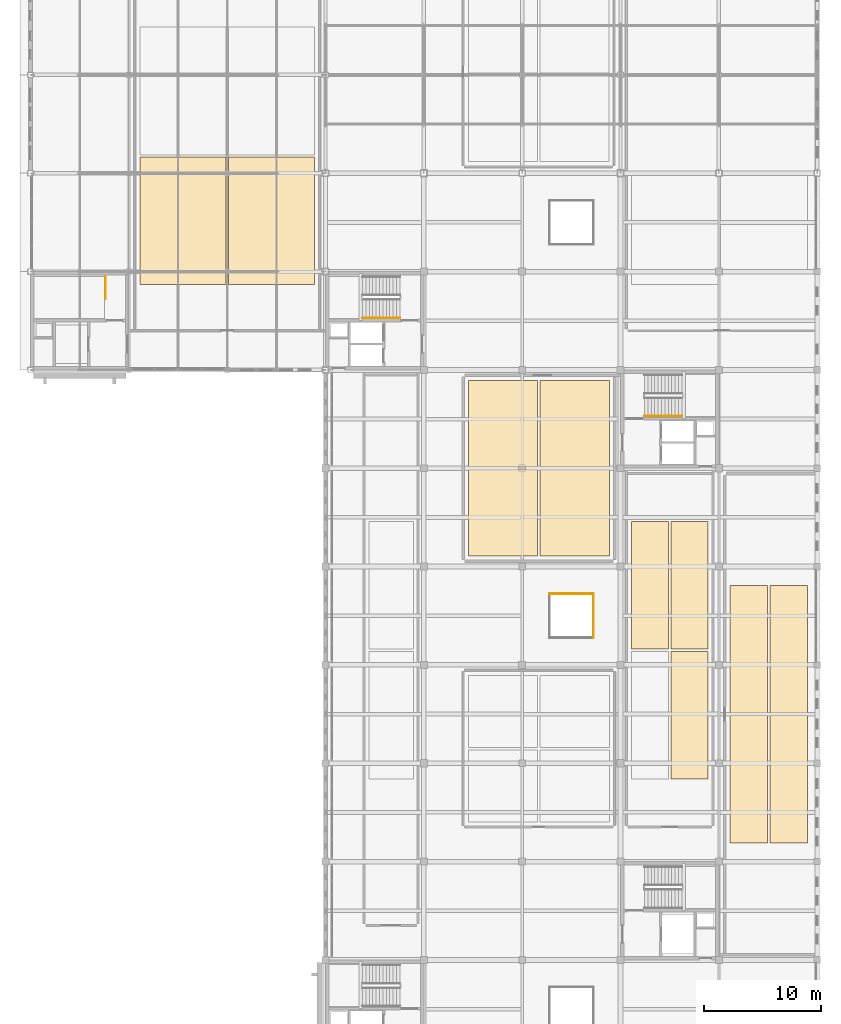
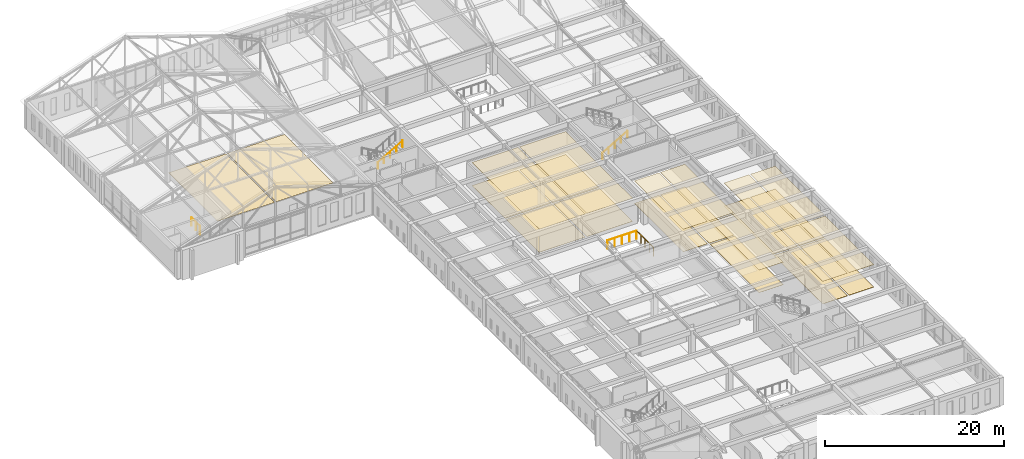
# One storey, part 54 of 56: 24 coverings, 5 railings.
"""IFC4 building model written with IfcOpenShell, lengths in metres."""

from ifc_helpers import new_model, si_unit, direction, frame, origin, origin_2d, place, context, subcontext, project, spatial, rectangle, circle, extrude, material, layer, layer_set, type_object, element, save


model = new_model("IFC4")

# Units and contexts
model_context = context("Model", 3, precision=1e-05, world=origin(), true_north=direction((0.0, 1.0)))
body_context = subcontext(model_context, "Body", "Model", "MODEL_VIEW")
ifc_project = project(units=[si_unit("LENGTHUNIT", "METRE"), si_unit("AREAUNIT", "SQUARE_METRE"), si_unit("VOLUMEUNIT", "CUBIC_METRE"), si_unit("PLANEANGLEUNIT", "RADIAN"), si_unit("MASSUNIT", "GRAM", prefix="KILO")], contexts=[model_context])

# Site, building, storey
site_placement = place(None, origin())
site = spatial("IfcSite", under=ifc_project, at=site_placement, CompositionType="ELEMENT")
building_placement = place(site_placement, origin())
building = spatial("IfcBuilding", under=site, at=building_placement, Name="Kveldsbrygga Polytechnic", CompositionType="ELEMENT")
storey_placement = place(building_placement, frame((0.0, 0.0, 18.02001953125)))
storey = spatial("IfcBuildingStorey", under=building, at=storey_placement, Name="L04", CompositionType="ELEMENT", Elevation=18.02001953125)

# Coverings
ifc_material_1 = material(Name="Acoustic mineral baffle ceiling")
ifc_layer_1 = layer(ifc_material_1, 0.030029296875)
ifc_layer_set_1 = layer_set([ifc_layer_1], Name="Acoustic mineral baffle ceiling")
covering_type_1 = type_object("IfcCoveringType", Name="COV-CEIL-AC30", PredefinedType="CEILING", material=ifc_layer_set_1)
for number, where, z_axis, x_axis, name in (
    (1, (162.14990234375, 49.050048828125, 3.0498046875), (0.0, 0.0, 1.0), (1.0, 0.0, 0.0), "Acoustic Ceiling SP-L04-STK2-WS"),
    (2, (162.14990234375, 60.14990234375, 3.1298828125), (0.0, 0.0, 1.0), (1.0, 0.0, 0.0), "Acoustic Ceiling SP-L04-STK2-WN"),
    (3, (165.550048828125, 49.050048828125, 3.0498046875), (0.0, 0.0, 1.0), (1.0, 0.0, 0.0), "Acoustic Ceiling SP-L04-STK2-ES"),
    (4, (165.550048828125, 60.14990234375, 3.1298828125), (0.0, 0.0, 1.0), (1.0, 0.0, 0.0), "Acoustic Ceiling SP-L04-STK2-EN"),
):
    element("IfcCovering", number, at=place(storey_placement, frame(where, z_axis=z_axis, x_axis=x_axis)), inside=storey, type_object=covering_type_1, Name=name, PredefinedType="CEILING", context=body_context, shape_type="SweptSolid", body=[
        extrude(rectangle(XDim=3.199951171875, YDim=10.89990234375, at=origin_2d()), origin(), (0.0, 0.0, 1.0), 0.030029296875),
    ])
for number, where, z_axis, x_axis, name in (
    (5, (141.16259765625, 71.800048828125, 3.1298828125), (0.0, 0.0, 1.0), (1.0, 0.0, 0.0), "Acoustic Ceiling SP-L04-LAB41-WS"),
    (6, (141.16259765625, 79.39990234375, 3.1298828125), (0.0, 0.0, 1.0), (1.0, 0.0, 0.0), "Acoustic Ceiling SP-L04-LAB41-WN"),
    (7, (147.28759765625, 71.800048828125, 3.1298828125), (0.0, 0.0, 1.0), (1.0, 0.0, 0.0), "Acoustic Ceiling SP-L04-LAB41-ES"),
    (8, (147.28759765625, 79.39990234375, 3.1298828125), (0.0, 0.0, 1.0), (1.0, 0.0, 0.0), "Acoustic Ceiling SP-L04-LAB41-EN"),
):
    element("IfcCovering", number, at=place(storey_placement, frame(where, z_axis=z_axis, x_axis=x_axis)), inside=storey, type_object=covering_type_1, Name=name, PredefinedType="CEILING", context=body_context, shape_type="SweptSolid", body=[
        extrude(rectangle(XDim=5.925048828125, YDim=7.39990234375, at=origin_2d()), origin(), (0.0, 0.0, 1.0), 0.030029296875),
    ])
for number, where, z_axis, x_axis, name in (
    (9, (153.72509765625, 65.60009765625, 3.0498046875), (0.0, 0.0, 1.0), (1.0, 0.0, 0.0), "Acoustic Ceiling SP-L04-STD43-WN"),
    (10, (157.074951171875, 54.5, 3.0498046875), (0.0, 0.0, 1.0), (1.0, 0.0, 0.0), "Acoustic Ceiling SP-L04-STD43-ES"),
    (11, (157.074951171875, 65.60009765625, 3.0498046875), (0.0, 0.0, 1.0), (1.0, 0.0, 0.0), "Acoustic Ceiling SP-L04-STD43-EN"),
):
    element("IfcCovering", number, at=place(storey_placement, frame(where, z_axis=z_axis, x_axis=x_axis)), inside=storey, type_object=covering_type_1, Name=name, PredefinedType="CEILING", context=body_context, shape_type="SweptSolid", body=[
        extrude(rectangle(XDim=3.14990234375, YDim=10.89990234375, at=origin_2d()), origin(), (0.0, 0.0, 1.0), 0.030029296875),
    ])
ifc_material_2 = material(Name="Heavy-duty quartz-filled epoxy resin flooring")
ifc_layer_2 = layer(ifc_material_2, 0.014892578125)
ifc_layer_set_2 = layer_set([ifc_layer_2], Name="Heavy-duty quartz-filled epoxy resin flooring")
covering_type_2 = type_object("IfcCoveringType", Name="COV-FLR-EPX15", PredefinedType="FLOORING", material=ifc_layer_set_2)
for number, where, z_axis, x_axis, name in (
    (12, (141.16259765625, 71.800048828125, 0.0), (0.0, 0.0, 1.0), (1.0, 0.0, 0.0), "Room Flooring SP-L04-LAB41-WS"),
    (13, (141.16259765625, 79.39990234375, 0.0), (0.0, 0.0, 1.0), (1.0, 0.0, 0.0), "Room Flooring SP-L04-LAB41-WN"),
    (14, (147.28759765625, 71.800048828125, 0.0), (0.0, 0.0, 1.0), (1.0, 0.0, 0.0), "Room Flooring SP-L04-LAB41-ES"),
    (15, (147.28759765625, 79.39990234375, 0.0), (0.0, 0.0, 1.0), (1.0, 0.0, 0.0), "Room Flooring SP-L04-LAB41-EN"),
):
    element("IfcCovering", number, at=place(storey_placement, frame(where, z_axis=z_axis, x_axis=x_axis)), inside=storey, type_object=covering_type_2, Name=name, PredefinedType="FLOORING", context=body_context, shape_type="SweptSolid", body=[
        extrude(rectangle(XDim=5.925048828125, YDim=7.39990234375, at=origin_2d()), origin(), (0.0, 0.0, 1.0), 0.014892578125),
    ])
ifc_material_3 = material(Name="Acoustic oak timber flooring", Category="wood")
ifc_layer_3 = layer(ifc_material_3, 0.02197265625)
ifc_layer_set_3 = layer_set([ifc_layer_3], Name="Acoustic oak timber flooring")
covering_type_3 = type_object("IfcCoveringType", Name="COV-FLR-OAK22", PredefinedType="FLOORING", material=ifc_layer_set_3)
for number, where, z_axis, x_axis, name in (
    (16, (162.14990234375, 49.050048828125, 0.0), (0.0, 0.0, 1.0), (1.0, 0.0, 0.0), "Room Flooring SP-L04-STK2-WS"),
    (17, (162.14990234375, 60.14990234375, 0.0), (0.0, 0.0, 1.0), (1.0, 0.0, 0.0), "Room Flooring SP-L04-STK2-WN"),
    (18, (165.550048828125, 49.050048828125, 0.0), (0.0, 0.0, 1.0), (1.0, 0.0, 0.0), "Room Flooring SP-L04-STK2-ES"),
    (19, (165.550048828125, 60.14990234375, 0.0), (0.0, 0.0, 1.0), (1.0, 0.0, 0.0), "Room Flooring SP-L04-STK2-EN"),
):
    element("IfcCovering", number, at=place(storey_placement, frame(where, z_axis=z_axis, x_axis=x_axis)), inside=storey, type_object=covering_type_3, Name=name, PredefinedType="FLOORING", context=body_context, shape_type="SweptSolid", body=[
        extrude(rectangle(XDim=3.199951171875, YDim=10.89990234375, at=origin_2d()), origin(), (0.0, 0.0, 1.0), 0.02197265625),
    ])
for number, where, z_axis, x_axis, name in (
    (20, (113.824951171875, 96.72509765625, 0.0), (0.0, 0.0, 1.0), (1.0, 0.0, 0.0), "Room Flooring SP-L04-SEM41-WS"),
    (21, (121.375, 96.72509765625, 0.0), (0.0, 0.0, 1.0), (1.0, 0.0, 0.0), "Room Flooring SP-L04-SEM41-ES"),
):
    element("IfcCovering", number, at=place(storey_placement, frame(where, z_axis=z_axis, x_axis=x_axis)), inside=storey, type_object=covering_type_3, Name=name, PredefinedType="FLOORING", context=body_context, shape_type="SweptSolid", body=[
        extrude(rectangle(XDim=7.35009765625, YDim=10.89990234375, at=origin_2d()), origin(), (0.0, 0.0, 1.0), 0.02197265625),
    ])
for number, where, z_axis, x_axis, name in (
    (22, (153.72509765625, 65.60009765625, 0.0), (0.0, 0.0, 1.0), (1.0, 0.0, 0.0), "Room Flooring SP-L04-STD43-WN"),
    (23, (157.074951171875, 54.5, 0.0), (0.0, 0.0, 1.0), (1.0, 0.0, 0.0), "Room Flooring SP-L04-STD43-ES"),
    (24, (157.074951171875, 65.60009765625, 0.0), (0.0, 0.0, 1.0), (1.0, 0.0, 0.0), "Room Flooring SP-L04-STD43-EN"),
):
    element("IfcCovering", number, at=place(storey_placement, frame(where, z_axis=z_axis, x_axis=x_axis)), inside=storey, type_object=covering_type_3, Name=name, PredefinedType="FLOORING", context=body_context, shape_type="SweptSolid", body=[
        extrude(rectangle(XDim=3.14990234375, YDim=10.89990234375, at=origin_2d()), origin(), (0.0, 0.0, 1.0), 0.02197265625),
    ])

# Railings
ifc_material_4 = material(Name="Steel S355", Category="steel")
railing_type_1 = type_object("IfcRailingType", Name="RL-STAIR-GRD", PredefinedType="GUARDRAIL", material=ifc_material_4)
railing_1_placement = place(storey_placement, frame((107.199951171875, 92.0, 0.0)))
element("IfcRailing", 25, at=railing_1_placement, inside=storey, type_object=railing_type_1, Name="L04 ST-5 top well guard 1", PredefinedType="GUARDRAIL", context=body_context, shape_type="SweptSolid", body=[
    extrude(circle(Radius=0.02392578125, at=origin_2d()), frame((0.0, 0.0, 1.1259765625), z_axis=(0.0, -1.0, 0.0), x_axis=(1.0, 0.0, 0.0)), (0.0, 0.0, 1.0), 1.949951171875),
    extrude(circle(Radius=0.02099609375, at=origin_2d()), origin(), (0.0, 0.0, 1.0), 1.097900390625),
    extrude(circle(Radius=0.02099609375, at=origin_2d()), frame((0.0, -0.97509765625, 0.0)), (0.0, 0.0, 1.0), 1.097900390625),
    extrude(circle(Radius=0.02099609375, at=origin_2d()), frame((0.0, -1.949951171875, 0.0)), (0.0, 0.0, 1.0), 1.097900390625),
])
railing_type_2 = type_object("IfcRailingType", Name="RL-STAIR-HND", PredefinedType="HANDRAIL", material=ifc_material_4)
railing_2_placement = place(storey_placement, frame((129.159912109375, 88.449951171875, 2.2099609375)))
element("IfcRailing", 26, at=railing_2_placement, inside=storey, type_object=railing_type_2, Name="L04 ST-2 stair handrail 2", PredefinedType="HANDRAIL", context=body_context, shape_type="SweptSolid", body=[
    extrude(circle(Radius=0.02392578125, at=origin_2d()), frame((0.0, 0.0, 0.8759765625), z_axis=(0.862696976859, 0.0, 0.505721194057), x_axis=(0.0, 1.0, 0.0)), (0.0, 0.0, 1.0), 3.697998046875),
    extrude(circle(Radius=0.02099609375, at=origin_2d()), origin(), (0.0, 0.0, 1.0), 0.847900390625),
    extrude(circle(Radius=0.02099609375, at=origin_2d()), frame((0.797607421875, 0.0, 0.467529296875)), (0.0, 0.0, 1.0), 0.847900390625),
    extrude(circle(Radius=0.02099609375, at=origin_2d()), frame((1.59521484375, 0.0, 0.93505859375)), (0.0, 0.0, 1.0), 0.847900390625),
    extrude(circle(Radius=0.02099609375, at=origin_2d()), frame((2.392578125, 0.0, 1.402587890625)), (0.0, 0.0, 1.0), 0.847900390625),
    extrude(circle(Radius=0.02099609375, at=origin_2d()), frame((3.190185546875, 0.0, 1.8701171875)), (0.0, 0.0, 1.0), 0.847900390625),
])
railing_3_placement = place(storey_placement, frame((153.25, 80.050048828125, 0.169921875)))
element("IfcRailing", 27, at=railing_3_placement, inside=storey, type_object=railing_type_2, Name="L04 ST-4 stair handrail 1", PredefinedType="HANDRAIL", context=body_context, shape_type="SweptSolid", body=[
    extrude(circle(Radius=0.02392578125, at=origin_2d()), frame((0.0, 0.0, 0.8759765625), z_axis=(0.862680090275, 0.0, 0.50574999935), x_axis=(0.0, 1.0, 0.0)), (0.0, 0.0, 1.0), 3.69775390625),
    extrude(circle(Radius=0.02099609375, at=origin_2d()), origin(), (0.0, 0.0, 1.0), 0.847900390625),
    extrude(circle(Radius=0.02099609375, at=origin_2d()), frame((0.79736328125, 0.0, 0.467529296875)), (0.0, 0.0, 1.0), 0.847900390625),
    extrude(circle(Radius=0.02099609375, at=origin_2d()), frame((1.594970703125, 0.0, 0.93505859375)), (0.0, 0.0, 1.0), 0.847900390625),
    extrude(circle(Radius=0.02099609375, at=origin_2d()), frame((2.392578125, 0.0, 1.402587890625)), (0.0, 0.0, 1.0), 0.847900390625),
    extrude(circle(Radius=0.02099609375, at=origin_2d()), frame((3.18994140625, 0.0, 1.8701171875)), (0.0, 0.0, 1.0), 0.847900390625),
])
railing_type_3 = type_object("IfcRailingType", Name="RL-VOID-GRD", PredefinedType="GUARDRAIL", material=ifc_material_4)
railing_4_placement = place(storey_placement, frame((148.8798828125, 61.1201171875, 0.0)))
element("IfcRailing", 28, at=railing_4_placement, inside=storey, type_object=railing_type_3, Name="Atrium Well Guard GRD-L04-WELL-7-E", PredefinedType="GUARDRAIL", context=body_context, shape_type="SweptSolid", body=[
    extrude(circle(Radius=0.02392578125, at=origin_2d()), frame((0.0, 0.0, 1.17578125), z_axis=(0.0, 1.0, 0.0), x_axis=(-1.0, 0.0, 0.0)), (0.0, 0.0, 1.0), 3.759765625),
    extrude(circle(Radius=0.02099609375, at=origin_2d()), origin(), (0.0, 0.0, 1.0), 1.14794921875),
    extrude(circle(Radius=0.02099609375, at=origin_2d()), frame((0.0, 0.93994140625, 0.0)), (0.0, 0.0, 1.0), 1.14794921875),
    extrude(circle(Radius=0.02099609375, at=origin_2d()), frame((0.0, 1.8798828125, 0.0)), (0.0, 0.0, 1.0), 1.14794921875),
    extrude(circle(Radius=0.02099609375, at=origin_2d()), frame((0.0, 2.81982421875, 0.0)), (0.0, 0.0, 1.0), 1.14794921875),
    extrude(circle(Radius=0.02099609375, at=origin_2d()), frame((0.0, 3.759765625, 0.0)), (0.0, 0.0, 1.0), 1.14794921875),
])
railing_5_placement = place(storey_placement, frame((148.8798828125, 64.8798828125, 0.0)))
element("IfcRailing", 29, at=railing_5_placement, inside=storey, type_object=railing_type_3, Name="Atrium Well Guard GRD-L04-WELL-7-N", PredefinedType="GUARDRAIL", context=body_context, shape_type="SweptSolid", body=[
    extrude(circle(Radius=0.02392578125, at=origin_2d()), frame((0.0, 0.0, 1.17578125), z_axis=(-1.0, 0.0, 0.0), x_axis=(0.0, -1.0, 0.0)), (0.0, 0.0, 1.0), 3.759765625),
    extrude(circle(Radius=0.02099609375, at=origin_2d()), origin(), (0.0, 0.0, 1.0), 1.14794921875),
    extrude(circle(Radius=0.02099609375, at=origin_2d()), frame((-0.93994140625, 0.0, 0.0)), (0.0, 0.0, 1.0), 1.14794921875),
    extrude(circle(Radius=0.02099609375, at=origin_2d()), frame((-1.8798828125, 0.0, 0.0)), (0.0, 0.0, 1.0), 1.14794921875),
    extrude(circle(Radius=0.02099609375, at=origin_2d()), frame((-2.81982421875, 0.0, 0.0)), (0.0, 0.0, 1.0), 1.14794921875),
    extrude(circle(Radius=0.02099609375, at=origin_2d()), frame((-3.759765625, 0.0, 0.0)), (0.0, 0.0, 1.0), 1.14794921875),
])

save(model, "model.ifc")
